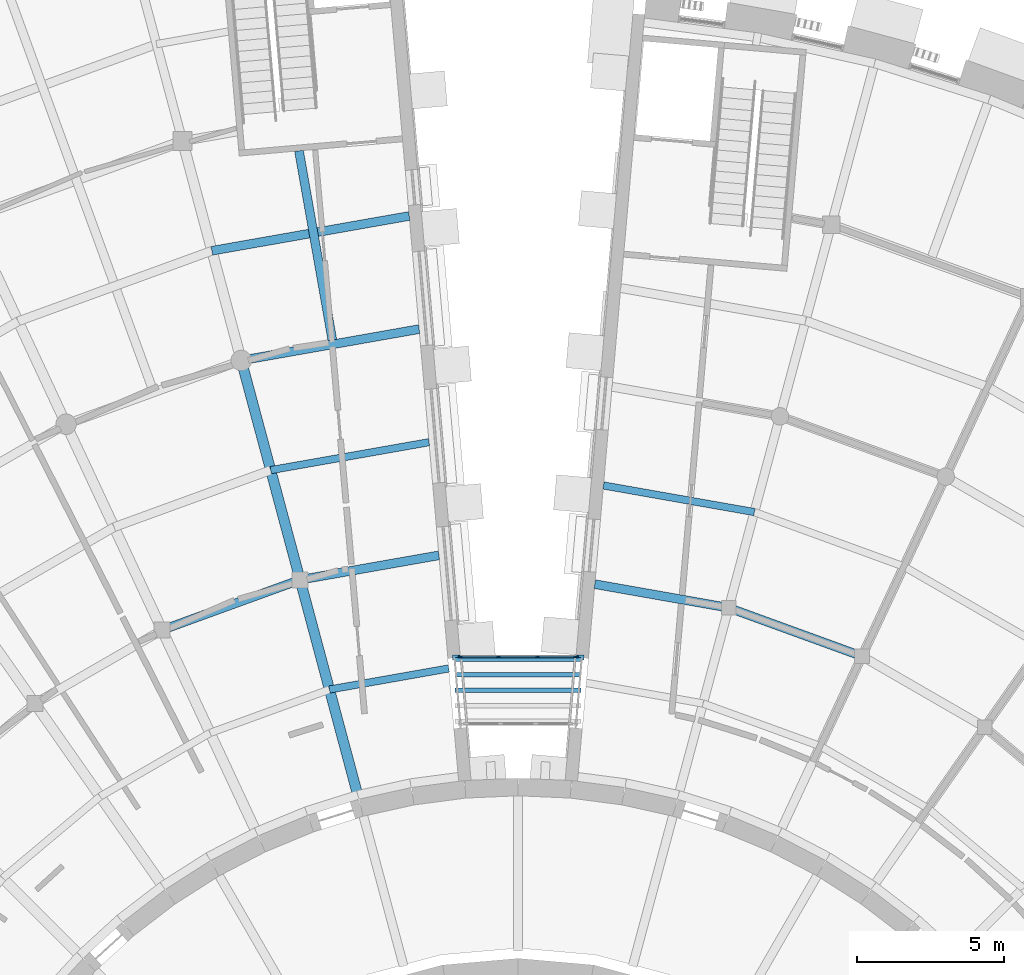
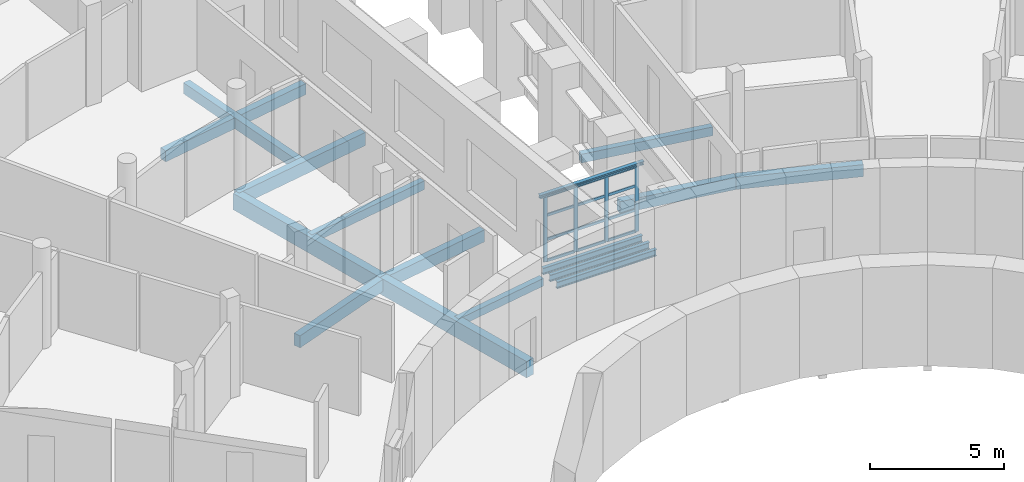
# One storey, part 21 of 66: 16 beams, 16 members, 1 element without a shape of its own.
"""IFC4 building model written with IfcOpenShell, lengths in metres."""

from ifc_helpers import new_model, si_unit, direction, frame, origin, origin_2d, place, context, subcontext, project, spatial, rectangle, i_section, extrude, material, layer, layer_set, material_profile, profile_set, type_object, element, aggregate, save


model = new_model("IFC4")

# Units and contexts
model_context = context("Model", 3, precision=1e-05, world=origin(), true_north=direction((0.0, 1.0)))
body_context = subcontext(model_context, "Body", "Model", "MODEL_VIEW")
ifc_project = project(units=[si_unit("LENGTHUNIT", "METRE"), si_unit("AREAUNIT", "SQUARE_METRE"), si_unit("VOLUMEUNIT", "CUBIC_METRE"), si_unit("PLANEANGLEUNIT", "RADIAN"), si_unit("MASSUNIT", "GRAM", prefix="KILO")], contexts=[model_context])

# Site, building, storey
site_placement = place(None, origin())
site = spatial("IfcSite", under=ifc_project, at=site_placement, CompositionType="ELEMENT")
building_placement = place(site_placement, origin())
building = spatial("IfcBuilding", under=site, at=building_placement, Name="Volute Hill Aquarium", CompositionType="ELEMENT")
storey_placement = place(building_placement, frame((0.0, 0.0, 4.60009765625)))
storey = spatial("IfcBuildingStorey", under=building, at=storey_placement, Name="L02", CompositionType="ELEMENT", Elevation=4.60009765625)

# Beams
ifc_material_1 = material(Name="Concrete C35/45", Category="concrete")
ifc_material_profile_1 = material_profile(ifc_material_1, rectangle(XDim=0.300048828125, YDim=0.550048828125, at=origin_2d()), Name="RC beam 300x550")
ifc_profile_set_1 = profile_set([ifc_material_profile_1], Name="Concrete C35/45")
beam_type_1 = type_object("IfcBeamType", Name="Beam 300x550 C35/45", PredefinedType="BEAM", material=ifc_profile_set_1)
beam_1_placement = place(storey_placement, frame((11.73291015625, 25.161376953125, -0.565185546875), z_axis=(-0.939697640454, 0.342006351586, 0.0), x_axis=(-0.342006351586, -0.939697640454, 0.0)))
element("IfcBeam", 1, at=beam_1_placement, inside=storey, type_object=beam_type_1, Name="bm/S5/L02/ring1.20", PredefinedType="BEAM", context=body_context, shape_type="SweptSolid", body=[
    extrude(rectangle(XDim=0.300048828125, YDim=0.550048828125, at=origin_2d()), origin(), (0.0, 0.0, 1.0), 4.839111328125),
])
beam_2_placement = place(storey_placement, frame((7.185546875, 26.81640625, -0.565185546875), z_axis=(-0.984801039026, 0.173686250269, 0.0), x_axis=(-0.173686250269, -0.984801039026, 0.0)))
element("IfcBeam", 2, at=beam_2_placement, inside=storey, type_object=beam_type_1, Name="bm/S5/L02/ring1.21", PredefinedType="BEAM", context=body_context, shape_type="SweptSolid", body=[
    extrude(rectangle(XDim=0.300048828125, YDim=0.550048828125, at=origin_2d()), origin(), (0.0, 0.0, 1.0), 4.638671875),
])
beam_3_placement = place(storey_placement, frame((-2.703369140625, 28.605712890625, -0.59521484375), z_axis=(-0.984813177336, -0.17361741199, 0.0), x_axis=(0.17361741199, -0.984813177336, 0.0)))
element("IfcBeam", 3, at=beam_3_placement, inside=storey, type_object=beam_type_1, Name="bm/S6/L02/ring1.17", PredefinedType="BEAM", context=body_context, shape_type="SweptSolid", body=[
    extrude(rectangle(XDim=0.300048828125, YDim=0.550048828125, at=origin_2d()), origin(), (0.0, 0.0, 1.0), 4.810546875),
])
beam_4_placement = place(storey_placement, frame((-7.44091796875, 27.7705078125, -0.59521484375), z_axis=(-0.939692398763, -0.342020753329, 0.0), x_axis=(0.342020753329, -0.939692398763, 0.0)))
element("IfcBeam", 4, at=beam_4_placement, inside=storey, type_object=beam_type_1, Name="bm/S6/L02/ring1.18", PredefinedType="BEAM", context=body_context, shape_type="SweptSolid", body=[
    extrude(rectangle(XDim=0.300048828125, YDim=0.550048828125, at=origin_2d()), origin(), (0.0, 0.0, 1.0), 5.01171875),
])
ifc_material_2 = material(Name="Concrete C35/45", Category="concrete")
ifc_material_profile_2 = material_profile(ifc_material_2, rectangle(XDim=0.300048828125, YDim=0.60009765625, at=origin_2d()), Name="RC beam 300x600")
ifc_profile_set_2 = profile_set([ifc_material_profile_2], Name="Concrete C35/45")
beam_type_2 = type_object("IfcBeamType", Name="Beam 300x600 C35/45", PredefinedType="BEAM", material=ifc_profile_set_2)
beam_5_placement = place(storey_placement, frame((-3.37890625, 36.326171875, -0.6201171875), z_axis=(-0.984811866367, -0.173624848056, 0.0), x_axis=(0.173624848056, -0.984811866367, 0.0)))
element("IfcBeam", 5, at=beam_5_placement, inside=storey, type_object=beam_type_2, Name="bm/S6/L02/ring2.22", PredefinedType="BEAM", context=body_context, shape_type="SweptSolid", body=[
    extrude(rectangle(XDim=0.300048828125, YDim=0.60009765625, at=origin_2d()), origin(), (0.0, 0.0, 1.0), 6.16162109375),
])
ifc_material_3 = material(Name="Concrete C35/45", Category="concrete")
ifc_material_profile_3 = material_profile(ifc_material_3, rectangle(XDim=0.35009765625, YDim=0.75, at=origin_2d()), Name="RC beam 350x750")
ifc_profile_set_3 = profile_set([ifc_material_profile_3], Name="Concrete C35/45")
beam_type_3 = type_object("IfcBeamType", Name="Beam 350x750 C35/45", PredefinedType="BEAM", material=ifc_profile_set_3)
for number, where, z_axis, x_axis, name in (
    (6, (-5.435302734375, 20.284423828125, -0.695068359375), (-0.258785947631, 0.965934694122, 0.0), (-0.965934694122, -0.258785947631, 0.0), "bm/S6/L02/rad1.1"),
    (7, (-7.44091796875, 27.7705078125, -0.695068359375), (-0.258852606365, 0.965916832951, 0.0), (-0.965916832951, -0.258852606365, 0.0), "bm/S6/L02/rad1.2"),
):
    element("IfcBeam", number, at=place(storey_placement, frame(where, z_axis=z_axis, x_axis=x_axis)), inside=storey, type_object=beam_type_3, Name=name, PredefinedType="BEAM", context=body_context, shape_type="SweptSolid", body=[
        extrude(rectangle(XDim=0.35009765625, YDim=0.75, at=origin_2d()), origin(), (0.0, 0.0, 1.0), 7.75),
    ])
ifc_material_4 = material(Name="Steel S355", Category="steel")
ifc_material_profile_4 = material_profile(ifc_material_4, i_section(OverallWidth=0.14990234375, OverallDepth=0.300048828125, WebThickness=0.007080078125, FlangeThickness=0.0107421875, FilletRadius=0.014892578125, at=origin_2d()), Name="IPE 300")
ifc_profile_set_4 = profile_set([ifc_material_profile_4], Name="Steel S355")
beam_type_4 = type_object("IfcBeamType", Name="Bridge deck beam IPE 300", PredefinedType="BEAM", material=ifc_profile_set_4)
for number, where, z_axis, x_axis, name in (
    (8, (2.14892578125, 24.0, -0.300048828125), (-1.0, 0.0, 0.0), (0.0, -1.0, 0.0), "br/SC6/L02/db2"),
    (9, (2.14892578125, 24.52490234375, -0.300048828125), (-1.0, 0.0, 0.0), (0.0, -1.0, 0.0), "br/SC6/L02/db3"),
    (10, (2.14892578125, 25.050048828125, -0.300048828125), (-1.0, 0.0, 0.0), (0.0, -1.0, 0.0), "br/SC6/L02/db4"),
):
    element("IfcBeam", number, at=place(storey_placement, frame(where, z_axis=z_axis, x_axis=x_axis)), inside=storey, type_object=beam_type_4, Name=name, PredefinedType="BEAM", context=body_context, shape_type="SweptSolid", body=[
        extrude(i_section(OverallWidth=0.14990234375, OverallDepth=0.300048828125, WebThickness=0.007080078125, FlangeThickness=0.0107421875, FilletRadius=0.014892578125, at=origin_2d()), origin(), (0.0, 0.0, 1.0), 4.2978515625),
    ])

# Curtain wall, members
ifc_material_5 = material(Name="Aluminium and glass", Category="aluminium")
ifc_layer = layer(ifc_material_5, 0.1201171875)
ifc_layer_set = layer_set([ifc_layer], Name="Bridge curtain wall")
curtain_wall_type = type_object("IfcCurtainWallType", Name="Bridge curtain wall", PredefinedType="NOTDEFINED", material=ifc_layer_set)
curtain_wall_placement = place(storey_placement, origin())
curtain_wall = element("IfcCurtainWall", 11, at=curtain_wall_placement, inside=storey, type_object=curtain_wall_type, Name="br/SC6/L02/cwb", PredefinedType="NOTDEFINED")
ifc_material_6 = material(Name="Aluminium", Category="aluminium")
ifc_material_profile_5 = material_profile(ifc_material_6, rectangle(XDim=0.06005859375, YDim=0.159912109375, at=origin_2d()), Name="Aluminium mullion 60x160")
ifc_profile_set_5 = profile_set([ifc_material_profile_5], Name="Aluminium")
member_type_1 = type_object("IfcMemberType", Name="Bridge mullion 60x160", PredefinedType="MULLION", material=ifc_profile_set_5)
member_1_placement = place(storey_placement, frame((1.96875, 25.139892578125, 0.0), z_axis=(0.0, 0.0, 1.0), x_axis=(0.0, -1.0, 0.0)))
member_1 = element("IfcMember", 12, at=member_1_placement, type_object=member_type_1, Name="BR5 mullion 1", PredefinedType="MULLION", context=body_context, shape_type="SweptSolid", body=[
    extrude(rectangle(XDim=0.06005859375, YDim=0.159912109375, at=origin_2d()), origin(), (0.0, 0.0, 1.0), 3.0),
])
member_2_placement = place(storey_placement, frame((0.666259765625, 25.139892578125, 0.0), z_axis=(0.0, 0.0, 1.0), x_axis=(0.0, -1.0, 0.0)))
member_2 = element("IfcMember", 13, at=member_2_placement, type_object=member_type_1, Name="BR5 mullion 2", PredefinedType="MULLION", context=body_context, shape_type="SweptSolid", body=[
    extrude(rectangle(XDim=0.06005859375, YDim=0.159912109375, at=origin_2d()), origin(), (0.0, 0.0, 1.0), 3.0),
])
member_3_placement = place(storey_placement, frame((-0.666259765625, 25.139892578125, 0.0), z_axis=(0.0, 0.0, 1.0), x_axis=(0.0, -1.0, 0.0)))
member_3 = element("IfcMember", 14, at=member_3_placement, type_object=member_type_1, Name="BR5 mullion 3", PredefinedType="MULLION", context=body_context, shape_type="SweptSolid", body=[
    extrude(rectangle(XDim=0.06005859375, YDim=0.159912109375, at=origin_2d()), origin(), (0.0, 0.0, 1.0), 3.0),
])
member_4_placement = place(storey_placement, frame((-1.96875, 25.139892578125, 0.0), z_axis=(0.0, 0.0, 1.0), x_axis=(0.0, -1.0, 0.0)))
member_4 = element("IfcMember", 15, at=member_4_placement, type_object=member_type_1, Name="BR5 mullion 4", PredefinedType="MULLION", context=body_context, shape_type="SweptSolid", body=[
    extrude(rectangle(XDim=0.06005859375, YDim=0.159912109375, at=origin_2d()), origin(), (0.0, 0.0, 1.0), 3.0),
])

# Beam
ifc_material_7 = material(Name="Steel S355", Category="steel")
ifc_material_profile_6 = material_profile(ifc_material_7, i_section(OverallWidth=0.159912109375, OverallDepth=0.152099609375, WebThickness=0.006103515625, FlangeThickness=0.009033203125, FilletRadius=0.014892578125, at=origin_2d()), Name="HEA 160")
ifc_profile_set_6 = profile_set([ifc_material_profile_6], Name="Steel S355")
beam_type_5 = type_object("IfcBeamType", Name="Bridge roof edge beam HEA 160", PredefinedType="BEAM", material=ifc_profile_set_6)
beam_6_placement = place(storey_placement, frame((2.2470703125, 25.1201171875, 3.075927734375), z_axis=(-1.0, 0.0, 0.0), x_axis=(0.0, -1.0, 0.0)))
element("IfcBeam", 16, at=beam_6_placement, inside=storey, type_object=beam_type_5, Name="br/SC6/L02/rbb", PredefinedType="BEAM", context=body_context, shape_type="SweptSolid", body=[
    extrude(i_section(OverallWidth=0.159912109375, OverallDepth=0.152099609375, WebThickness=0.006103515625, FlangeThickness=0.009033203125, FilletRadius=0.014892578125, at=origin_2d()), origin(), (0.0, 0.0, 1.0), 4.494140625),
])

# Member
ifc_material_8 = material(Name="Aluminium", Category="aluminium")
ifc_material_profile_7 = material_profile(ifc_material_8, rectangle(XDim=0.06005859375, YDim=0.1201171875, at=origin_2d()), Name="Aluminium transom 60x120")
ifc_profile_set_7 = profile_set([ifc_material_profile_7], Name="Aluminium")
member_type_2 = type_object("IfcMemberType", Name="Bridge transom 60x120", PredefinedType="USERDEFINED", material=ifc_profile_set_7)
member_5_placement = place(storey_placement, frame((1.938720703125, 25.139892578125, 0.02978515625), z_axis=(-1.0, 0.0, 0.0), x_axis=(0.0, -1.0, 0.0)))
member_5 = element("IfcMember", 17, at=member_5_placement, type_object=member_type_2, Name="BR5 transom 1.1", ObjectType="TRANSOM", PredefinedType="USERDEFINED", context=body_context, shape_type="SweptSolid", body=[
    extrude(rectangle(XDim=0.06005859375, YDim=0.1201171875, at=origin_2d()), origin(), (0.0, 0.0, 1.0), 1.242431640625),
])

member_6_placement = place(storey_placement, frame((1.938720703125, 25.139892578125, 1.0), z_axis=(-1.0, 0.0, 0.0), x_axis=(0.0, -1.0, 0.0)))
member_6 = element("IfcMember", 18, at=member_6_placement, type_object=member_type_2, Name="BR5 transom 1.2", ObjectType="TRANSOM", PredefinedType="USERDEFINED", context=body_context, shape_type="SweptSolid", body=[
    extrude(rectangle(XDim=0.06005859375, YDim=0.1201171875, at=origin_2d()), origin(), (0.0, 0.0, 1.0), 1.242431640625),
])

member_7_placement = place(storey_placement, frame((1.938720703125, 25.139892578125, 2.099853515625), z_axis=(-1.0, 0.0, 0.0), x_axis=(0.0, -1.0, 0.0)))
member_7 = element("IfcMember", 19, at=member_7_placement, type_object=member_type_2, Name="BR5 transom 1.3", ObjectType="TRANSOM", PredefinedType="USERDEFINED", context=body_context, shape_type="SweptSolid", body=[
    extrude(rectangle(XDim=0.06005859375, YDim=0.1201171875, at=origin_2d()), origin(), (0.0, 0.0, 1.0), 1.242431640625),
])

member_8_placement = place(storey_placement, frame((1.938720703125, 25.139892578125, 2.969970703125), z_axis=(-1.0, 0.0, 0.0), x_axis=(0.0, -1.0, 0.0)))
member_8 = element("IfcMember", 20, at=member_8_placement, type_object=member_type_2, Name="BR5 transom 1.4", ObjectType="TRANSOM", PredefinedType="USERDEFINED", context=body_context, shape_type="SweptSolid", body=[
    extrude(rectangle(XDim=0.06005859375, YDim=0.1201171875, at=origin_2d()), origin(), (0.0, 0.0, 1.0), 1.242431640625),
])

member_9_placement = place(storey_placement, frame((0.63623046875, 25.139892578125, 0.02978515625), z_axis=(-1.0, 0.0, 0.0), x_axis=(0.0, -1.0, 0.0)))
member_9 = element("IfcMember", 21, at=member_9_placement, type_object=member_type_2, Name="BR5 transom 2.1", ObjectType="TRANSOM", PredefinedType="USERDEFINED", context=body_context, shape_type="SweptSolid", body=[
    extrude(rectangle(XDim=0.06005859375, YDim=0.1201171875, at=origin_2d()), origin(), (0.0, 0.0, 1.0), 1.2724609375),
])

member_10_placement = place(storey_placement, frame((0.63623046875, 25.139892578125, 1.0), z_axis=(-1.0, 0.0, 0.0), x_axis=(0.0, -1.0, 0.0)))
member_10 = element("IfcMember", 22, at=member_10_placement, type_object=member_type_2, Name="BR5 transom 2.2", ObjectType="TRANSOM", PredefinedType="USERDEFINED", context=body_context, shape_type="SweptSolid", body=[
    extrude(rectangle(XDim=0.06005859375, YDim=0.1201171875, at=origin_2d()), origin(), (0.0, 0.0, 1.0), 1.2724609375),
])

member_11_placement = place(storey_placement, frame((0.63623046875, 25.139892578125, 2.099853515625), z_axis=(-1.0, 0.0, 0.0), x_axis=(0.0, -1.0, 0.0)))
member_11 = element("IfcMember", 23, at=member_11_placement, type_object=member_type_2, Name="BR5 transom 2.3", ObjectType="TRANSOM", PredefinedType="USERDEFINED", context=body_context, shape_type="SweptSolid", body=[
    extrude(rectangle(XDim=0.06005859375, YDim=0.1201171875, at=origin_2d()), origin(), (0.0, 0.0, 1.0), 1.2724609375),
])

member_12_placement = place(storey_placement, frame((0.63623046875, 25.139892578125, 2.969970703125), z_axis=(-1.0, 0.0, 0.0), x_axis=(0.0, -1.0, 0.0)))
member_12 = element("IfcMember", 24, at=member_12_placement, type_object=member_type_2, Name="BR5 transom 2.4", ObjectType="TRANSOM", PredefinedType="USERDEFINED", context=body_context, shape_type="SweptSolid", body=[
    extrude(rectangle(XDim=0.06005859375, YDim=0.1201171875, at=origin_2d()), origin(), (0.0, 0.0, 1.0), 1.2724609375),
])

member_13_placement = place(storey_placement, frame((-0.6962890625, 25.139892578125, 0.02978515625), z_axis=(-1.0, 0.0, 0.0), x_axis=(0.0, -1.0, 0.0)))
member_13 = element("IfcMember", 25, at=member_13_placement, type_object=member_type_2, Name="BR5 transom 3.1", ObjectType="TRANSOM", PredefinedType="USERDEFINED", context=body_context, shape_type="SweptSolid", body=[
    extrude(rectangle(XDim=0.06005859375, YDim=0.1201171875, at=origin_2d()), origin(), (0.0, 0.0, 1.0), 1.242431640625),
])

member_14_placement = place(storey_placement, frame((-0.6962890625, 25.139892578125, 1.0), z_axis=(-1.0, 0.0, 0.0), x_axis=(0.0, -1.0, 0.0)))
member_14 = element("IfcMember", 26, at=member_14_placement, type_object=member_type_2, Name="BR5 transom 3.2", ObjectType="TRANSOM", PredefinedType="USERDEFINED", context=body_context, shape_type="SweptSolid", body=[
    extrude(rectangle(XDim=0.06005859375, YDim=0.1201171875, at=origin_2d()), origin(), (0.0, 0.0, 1.0), 1.242431640625),
])

member_15_placement = place(storey_placement, frame((-0.6962890625, 25.139892578125, 2.099853515625), z_axis=(-1.0, 0.0, 0.0), x_axis=(0.0, -1.0, 0.0)))
member_15 = element("IfcMember", 27, at=member_15_placement, type_object=member_type_2, Name="BR5 transom 3.3", ObjectType="TRANSOM", PredefinedType="USERDEFINED", context=body_context, shape_type="SweptSolid", body=[
    extrude(rectangle(XDim=0.06005859375, YDim=0.1201171875, at=origin_2d()), origin(), (0.0, 0.0, 1.0), 1.242431640625),
])

member_16_placement = place(storey_placement, frame((-0.6962890625, 25.139892578125, 2.969970703125), z_axis=(-1.0, 0.0, 0.0), x_axis=(0.0, -1.0, 0.0)))
member_16 = element("IfcMember", 28, at=member_16_placement, type_object=member_type_2, Name="BR5 transom 3.4", ObjectType="TRANSOM", PredefinedType="USERDEFINED", context=body_context, shape_type="SweptSolid", body=[
    extrude(rectangle(XDim=0.06005859375, YDim=0.1201171875, at=origin_2d()), origin(), (0.0, 0.0, 1.0), 1.242431640625),
])

aggregate(curtain_wall, [member_1, member_2, member_3, member_4, member_5, member_6, member_7, member_8, member_9, member_10, member_11, member_12, member_13, member_14, member_15, member_16])

# Beams
ifc_material_9 = material(Name="Concrete C35/45", Category="concrete")
ifc_material_profile_8 = material_profile(ifc_material_9, rectangle(XDim=0.25, YDim=0.35009765625, at=origin_2d()), Name="RC joist 250x350")
ifc_profile_set_8 = profile_set([ifc_material_profile_8], Name="Concrete C35/45")
beam_type_6 = type_object("IfcBeamType", Name="Joist 250x350 C35/45", PredefinedType="BEAM", material=ifc_profile_set_8)
beam_7_placement = place(storey_placement, frame((-2.36572265625, 24.745361328125, -0.4951171875), z_axis=(-0.984809106321, -0.173640502499, 0.0), x_axis=(0.173640502499, -0.984809106321, 0.0)))
element("IfcBeam", 29, at=beam_7_placement, inside=storey, type_object=beam_type_6, Name="bm/S6/L02/jst1", PredefinedType="BEAM", context=body_context, shape_type="SweptSolid", body=[
    extrude(rectangle(XDim=0.25, YDim=0.35009765625, at=origin_2d()), origin(), (0.0, 0.0, 1.0), 4.135009765625),
])
ifc_material_10 = material(Name="Concrete C35/45", Category="concrete")
ifc_material_profile_9 = material_profile(ifc_material_10, rectangle(XDim=0.25, YDim=0.39990234375, at=origin_2d()), Name="RC joist 250x400")
ifc_profile_set_9 = profile_set([ifc_material_profile_9], Name="Concrete C35/45")
beam_type_7 = type_object("IfcBeamType", Name="Joist 250x400 C35/45", PredefinedType="BEAM", material=ifc_profile_set_9)
beam_8_placement = place(storey_placement, frame((8.060546875, 30.08251953125, -0.489990234375), z_axis=(-0.984810814514, 0.17363081413, 0.0), x_axis=(-0.17363081413, -0.984810814514, 0.0)))
element("IfcBeam", 30, at=beam_8_placement, inside=storey, type_object=beam_type_7, Name="bm/S5/L02/jst10", PredefinedType="BEAM", context=body_context, shape_type="SweptSolid", body=[
    extrude(rectangle(XDim=0.25, YDim=0.39990234375, at=origin_2d()), origin(), (0.0, 0.0, 1.0), 5.227783203125),
])
beam_9_placement = place(storey_placement, frame((-3.041259765625, 32.466064453125, -0.52001953125), z_axis=(-0.984801025602, -0.173686326386, 0.0), x_axis=(0.173686326386, -0.984801025602, 0.0)))
element("IfcBeam", 31, at=beam_9_placement, inside=storey, type_object=beam_type_7, Name="bm/S6/L02/jst6", PredefinedType="BEAM", context=body_context, shape_type="SweptSolid", body=[
    extrude(rectangle(XDim=0.25, YDim=0.39990234375, at=origin_2d()), origin(), (0.0, 0.0, 1.0), 5.486328125),
])
ifc_material_11 = material(Name="Concrete C35/45", Category="concrete")
ifc_material_profile_10 = material_profile(ifc_material_11, rectangle(XDim=0.300048828125, YDim=0.5, at=origin_2d()), Name="RC joist 300x500")
ifc_profile_set_10 = profile_set([ifc_material_profile_10], Name="Concrete C35/45")
beam_type_8 = type_object("IfcBeamType", Name="Joist 300x500 C35/45", PredefinedType="BEAM", material=ifc_profile_set_10)
beam_10_placement = place(storey_placement, frame((-3.716552734375, 40.1865234375, -0.570068359375), z_axis=(-0.984807275484, -0.173650885843, 0.0), x_axis=(0.173650885843, -0.984807275484, 0.0)))
element("IfcBeam", 32, at=beam_10_placement, inside=storey, type_object=beam_type_8, Name="bm/S6/L02/jst11", PredefinedType="BEAM", context=body_context, shape_type="SweptSolid", body=[
    extrude(rectangle(XDim=0.300048828125, YDim=0.5, at=origin_2d()), origin(), (0.0, 0.0, 1.0), 6.8369140625),
])
beam_11_placement = place(storey_placement, frame((-6.338134765625, 35.945556640625, -0.570068359375), z_axis=(-0.173626192021, 0.984811629422, 0.0), x_axis=(-0.984811629422, -0.173626192021, 0.0)))
element("IfcBeam", 33, at=beam_11_placement, inside=storey, type_object=beam_type_8, Name="bm/S6/L02/rjst1", PredefinedType="BEAM", context=body_context, shape_type="SweptSolid", body=[
    extrude(rectangle(XDim=0.300048828125, YDim=0.5, at=origin_2d()), origin(), (0.0, 0.0, 1.0), 6.563720703125),
])

save(model, "model.ifc")
